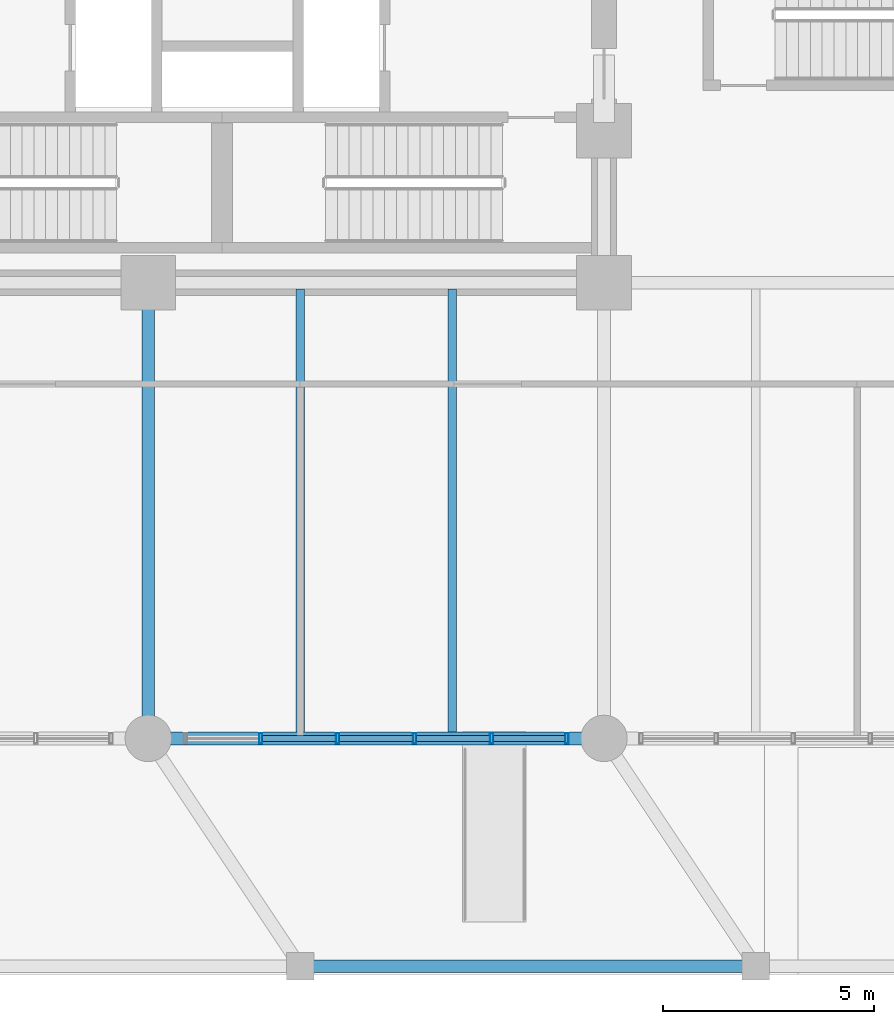
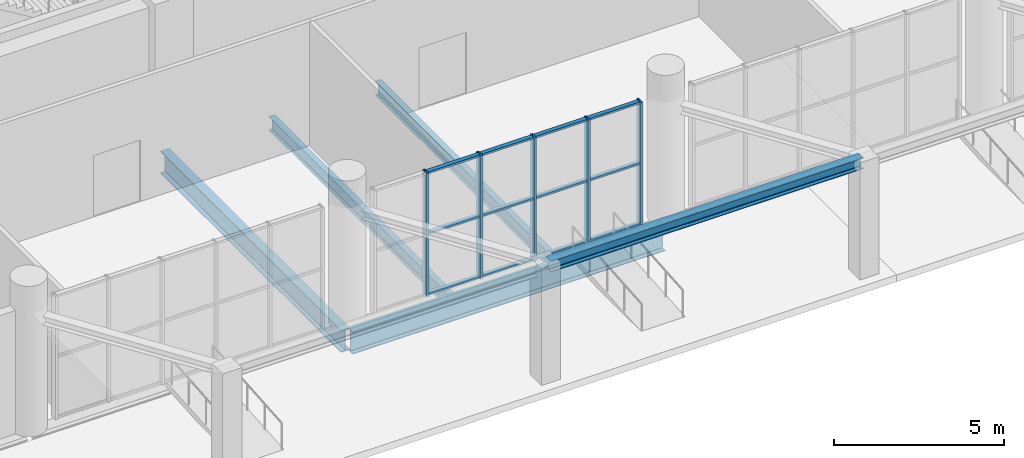
# One storey, part 4 of 22: 17 members, 5 beams, 1 element without a shape of its own.
"""IFC4 building model written with IfcOpenShell, lengths in metres."""

import ifcopenshell
import ifcopenshell.guid

model = None  # the IFC model being written
_history = None  # IfcOwnerHistory: only IFC2X3 demands one
_inside = {}  # id of a spatial element -> (the spatial element, [elements in it])
_under = {}  # id of a project, library or spatial element -> (it, [spatial elements below it])
_declared = {}  # id of a project -> (the project, [libraries it declares])
_typed = {}  # id of a type object -> (the type object, [elements of that type])
_made_of = {}  # id of a material, layer set ... -> (it, [elements and type objects made of it])


def new_model(schema):
    """Start an empty IFC model of exactly this schema.

    Asked for "IFC4X3", IfcOpenShell would pick the latest addendum, in which some entities
    have other attributes; the version numbers below select the first issue.
    IFC2X3 requires an IfcOwnerHistory on every rooted entity: one is made here for all.
    """
    global model, _history
    if schema == "IFC4X3":
        model = ifcopenshell.file(schema_version=(4, 3, 0, 0))
    else:
        model = ifcopenshell.file(schema=schema)
    _inside.clear()
    _under.clear()
    _declared.clear()
    _typed.clear()
    _made_of.clear()
    _history = None
    if model.schema == "IFC2X3":
        org = make("IfcOrganization", Name="unknown")
        user = make(
            "IfcPersonAndOrganization",
            ThePerson=make("IfcPerson", FamilyName="unknown"),
            TheOrganization=org,
        )
        app = make(
            "IfcApplication",
            ApplicationDeveloper=org,
            Version="unknown",
            ApplicationFullName="unknown",
            ApplicationIdentifier="unknown",
        )
        _history = make(
            "IfcOwnerHistory",
            OwningUser=user,
            OwningApplication=app,
            ChangeAction="ADDED",
            CreationDate=0,
        )
    return model


def make(cls, **values):
    """One entity of the class cls with the attributes given. An attribute that is None is left unset."""
    return model.create_entity(
        cls, **{name: value for name, value in values.items() if value is not None}
    )


def rooted(cls, **values):
    """An entity with a GlobalId (a new one), such as an element, a storey or a relation."""
    return make(cls, GlobalId=ifcopenshell.guid.new(), OwnerHistory=_history, **values)


def si_unit(unit_type, name, prefix=None):
    """IfcSIUnit, for example si_unit("LENGTHUNIT", "METRE", prefix="MILLI")."""
    return make("IfcSIUnit", UnitType=unit_type, Prefix=prefix, Name=name)


def assignment(units):
    """IfcUnitAssignment: the units of a project."""
    return None if units is None else make("IfcUnitAssignment", Units=units)


def point(xyz):
    """IfcCartesianPoint."""
    return None if xyz is None else make("IfcCartesianPoint", Coordinates=xyz)


def direction(xyz):
    """IfcDirection."""
    return None if xyz is None else make("IfcDirection", DirectionRatios=xyz)


def frame(location, z_axis=None, x_axis=None):
    """IfcAxis2Placement3D, a coordinate frame: its origin and axes. An axis left out is left unset."""
    return make(
        "IfcAxis2Placement3D",
        Location=point(location),
        Axis=direction(z_axis),
        RefDirection=direction(x_axis),
    )


def frame_2d(location, x_axis=None):
    """IfcAxis2Placement2D, a coordinate frame in the plane: its origin and x axis."""
    return make(
        "IfcAxis2Placement2D", Location=point(location), RefDirection=direction(x_axis)
    )


def origin():
    """The frame at (0, 0, 0) with its axes left unset."""
    return frame((0.0, 0.0, 0.0))


def origin_2d():
    """The frame at (0, 0) in the plane with its x axis left unset."""
    return frame_2d((0.0, 0.0))


def place(relative_to, where):
    """IfcLocalPlacement: puts the frame where relative to a parent placement (None: the world)."""
    return make(
        "IfcLocalPlacement", PlacementRelTo=relative_to, RelativePlacement=where
    )


def context(
    kind, dimensions, precision=None, world=None, true_north=None, identifier=None
):
    """IfcGeometricRepresentationContext, for example the 3D "Model" context."""
    return make(
        "IfcGeometricRepresentationContext",
        ContextIdentifier=identifier,
        ContextType=kind,
        CoordinateSpaceDimension=dimensions,
        Precision=precision,
        WorldCoordinateSystem=world,
        TrueNorth=true_north,
    )


def subcontext(parent, identifier, kind, view, scale=None):
    """IfcGeometricRepresentationSubContext, for example "Body" below "Model"."""
    return make(
        "IfcGeometricRepresentationSubContext",
        ContextIdentifier=identifier,
        ContextType=kind,
        ParentContext=parent,
        TargetScale=scale,
        TargetView=view,
    )


def project(units=None, contexts=None):
    """IfcProject with its units and contexts."""
    return rooted(
        "IfcProject",
        Name="project",
        RepresentationContexts=contexts,
        UnitsInContext=assignment(units),
    )


def spatial(cls, under=None, at=None, **own):
    """A site, building, storey or space (cls), placed at a placement, below another one or the project."""
    s = rooted(cls, ObjectPlacement=at, **own)
    if under is not None:
        _under.setdefault(under.id(), (under, []))[1].append(s)
    return s


def profile(cls, at=None, kind="AREA", **sizes):
    """A parametric profile (cls). Its sizes go by their IFC names, for example OverallWidth=200.0."""
    return make(cls, ProfileType=kind, Position=at, **sizes)


def hollow_rectangle(**sizes):
    """IfcRectangleHollowProfileDef."""
    return profile("IfcRectangleHollowProfileDef", **sizes)


def i_section(**sizes):
    """IfcIShapeProfileDef."""
    return profile("IfcIShapeProfileDef", **sizes)


def extrude(swept, where, along, depth):
    """IfcExtrudedAreaSolid: the profile swept, set in the frame where, extruded along a direction by depth."""
    return make(
        "IfcExtrudedAreaSolid",
        SweptArea=swept,
        Position=where,
        ExtrudedDirection=direction(along),
        Depth=depth,
    )


def shape(context_of_items, identifier, shape_type, items):
    """IfcShapeRepresentation: the items that make up one representation, for example the "Body"."""
    return make(
        "IfcShapeRepresentation",
        ContextOfItems=context_of_items,
        RepresentationIdentifier=identifier,
        RepresentationType=shape_type,
        Items=items,
    )


def material(Name=None, Category=None):
    """IfcMaterial."""
    return make("IfcMaterial", Name=Name, Category=Category)


def layer(
    of_material, thickness, ventilated=None, Name=None, Category=None, Priority=None
):
    """IfcMaterialLayer: one layer of a wall or slab, of a material (None: an air gap)."""
    return make(
        "IfcMaterialLayer",
        Material=of_material,
        LayerThickness=thickness,
        IsVentilated=ventilated,
        Name=Name,
        Category=Category,
        Priority=Priority,
    )


def layer_set(layers, Name=None):
    """IfcMaterialLayerSet."""
    return make("IfcMaterialLayerSet", MaterialLayers=layers, LayerSetName=Name)


def material_profile(
    of_material, cross_section, Name=None, Category=None, Priority=None
):
    """IfcMaterialProfile: a cross section and its material."""
    return make(
        "IfcMaterialProfile",
        Name=Name,
        Material=of_material,
        Profile=cross_section,
        Priority=Priority,
        Category=Category,
    )


def profile_set(profiles, Name=None, composite=None):
    """IfcMaterialProfileSet."""
    return make(
        "IfcMaterialProfileSet",
        Name=Name,
        MaterialProfiles=profiles,
        CompositeProfile=composite,
    )


def made_of(thing, what):
    """Note that an element or type object is made of a material, layer set ...; save() writes the relation."""
    if what is not None:
        _made_of.setdefault(what.id(), (what, []))[1].append(thing)
    return thing


def type_object(cls, material=None, **own):
    """A type object (cls), such as IfcWallType, which elements share."""
    return made_of(rooted(cls, **own), material)


def element(
    cls,
    number,
    at=None,
    inside=None,
    cuts=None,
    type_object=None,
    material=None,
    context=None,
    identifier="Body",
    shape_type=None,
    held_by="IfcProductDefinitionShape",
    body=None,
    shapes=None,
    **own,
):
    """One element of the class cls, such as IfcWall. Its Tag is "e" and its number.

    at: its placement. inside: the storey or other place that contains it. cuts: it is an
    opening in that element (IfcRelVoidsElement). A single representation is given by context,
    identifier, shape_type and body (its items); several are given by shapes. held_by: the class
    of the entity that holds the representations. save() writes the other relations.
    """
    e = rooted(cls, Tag="e%d" % number, ObjectPlacement=at, **own)
    if body is not None:
        shapes = [shape(context, identifier, shape_type, body)]
    if shapes is not None:
        e.Representation = make(held_by, Representations=shapes)
    if inside is not None:
        _inside.setdefault(inside.id(), (inside, []))[1].append(e)
    if cuts is not None:
        rooted(
            "IfcRelVoidsElement", RelatingBuildingElement=cuts, RelatedOpeningElement=e
        )
    if type_object is not None:
        _typed.setdefault(type_object.id(), (type_object, []))[1].append(e)
    return made_of(e, material)


def aggregate(whole, parts):
    """IfcRelAggregates: a whole, such as a stair, and the parts it consists of."""
    return rooted("IfcRelAggregates", RelatingObject=whole, RelatedObjects=parts)


def save(model, path):
    """Write the relations noted so far, then the file.

    IfcRelAggregates (storeys below a building ...), IfcRelContainedInSpatialStructure (elements
    in a storey), IfcRelDefinesByType, IfcRelAssociatesMaterial and IfcRelDeclares: one each for
    every whole, place, type object, material and project.
    """
    for whole, parts in _under.values():
        aggregate(whole, parts)
    for where, things in _inside.values():
        rooted(
            "IfcRelContainedInSpatialStructure",
            RelatedElements=things,
            RelatingStructure=where,
        )
    for kind, things in _typed.values():
        rooted("IfcRelDefinesByType", RelatedObjects=things, RelatingType=kind)
    for what, things in _made_of.values():
        rooted("IfcRelAssociatesMaterial", RelatedObjects=things, RelatingMaterial=what)
    for by, libraries in _declared.values():
        rooted("IfcRelDeclares", RelatingContext=by, RelatedDefinitions=libraries)
    model.write(path)


model = new_model("IFC4")

# Units and contexts
model_context = context("Model", 3, precision=1e-05, world=origin(), true_north=direction((0.0, 1.0)))
body_context = subcontext(model_context, "Body", "Model", "MODEL_VIEW")
ifc_project = project(units=[si_unit("LENGTHUNIT", "METRE"), si_unit("AREAUNIT", "SQUARE_METRE"), si_unit("VOLUMEUNIT", "CUBIC_METRE"), si_unit("PLANEANGLEUNIT", "RADIAN"), si_unit("MASSUNIT", "GRAM", prefix="KILO")], contexts=[model_context])

# Site, building, storey
site_placement = place(None, origin())
site = spatial("IfcSite", under=ifc_project, at=site_placement, CompositionType="ELEMENT")
building_placement = place(site_placement, origin())
building = spatial("IfcBuilding", under=site, at=building_placement, Name="Solnavia Interchange Tower", CompositionType="ELEMENT")
storey_placement = place(building_placement, origin())
storey = spatial("IfcBuildingStorey", under=building, at=storey_placement, Name="L00", CompositionType="ELEMENT", Elevation=0.0)

# Beams
ifc_material_1 = material(Name="Steel S460", Category="steel")
ifc_material_profile_1 = material_profile(ifc_material_1, i_section(OverallWidth=0.300048828125, OverallDepth=0.800048828125, WebThickness=0.017578125, FlangeThickness=0.032958984375, FilletRadius=0.030029296875, at=origin_2d()), Name="HEB 800")
ifc_profile_set_1 = profile_set([ifc_material_profile_1], Name="Steel S460")
beam_type_1 = type_object("IfcBeamType", Name="Beam-Girder-HEB800", PredefinedType="BEAM", material=ifc_profile_set_1)
beam_1_placement = place(storey_placement, frame((21.699951171875, 0.0, -0.75), z_axis=(1.0, 0.0, 0.0), x_axis=(0.0, 1.0, 0.0)))
element("IfcBeam", 1, at=beam_1_placement, inside=storey, type_object=beam_type_1, Name="GRD-L00-03 Podium primary girder", PredefinedType="BEAM", context=body_context, shape_type="SweptSolid", body=[
    extrude(i_section(OverallWidth=0.300048828125, OverallDepth=0.800048828125, WebThickness=0.017578125, FlangeThickness=0.032958984375, FilletRadius=0.030029296875, at=origin_2d()), origin(), (0.0, 0.0, 1.0), 10.60009765625),
])
beam_2_placement = place(storey_placement, frame((21.60009765625, 0.10009765625, -0.75), z_axis=(0.0, 1.0, 0.0), x_axis=(-1.0, 0.0, 0.0)))
element("IfcBeam", 2, at=beam_2_placement, inside=storey, type_object=beam_type_1, Name="GRD-L00-53 Podium primary girder", PredefinedType="BEAM", context=body_context, shape_type="SweptSolid", body=[
    extrude(i_section(OverallWidth=0.300048828125, OverallDepth=0.800048828125, WebThickness=0.017578125, FlangeThickness=0.032958984375, FilletRadius=0.030029296875, at=origin_2d()), origin(), (0.0, 0.0, 1.0), 10.599853515625),
])
ifc_material_2 = material(Name="Steel S355", Category="steel")
ifc_material_profile_2 = material_profile(ifc_material_2, i_section(OverallWidth=0.199951171875, OverallDepth=0.5, WebThickness=0.01025390625, FlangeThickness=0.01611328125, FilletRadius=0.02099609375, at=origin_2d()), Name="IPE 500")
ifc_profile_set_2 = profile_set([ifc_material_profile_2], Name="Steel S355")
beam_type_2 = type_object("IfcBeamType", Name="Beam-Joist-IPE500", PredefinedType="JOIST", material=ifc_profile_set_2)
for number, where, z_axis, x_axis, name in (
    (3, (25.199951171875, 0.14990234375, -0.60009765625), (0.0, 1.0, 0.0), (-1.0, 0.0, 0.0), "JST-L00-15 Podium composite floor joist"),
    (4, (28.800048828125, 0.14990234375, -0.60009765625), (0.0, 1.0, 0.0), (-1.0, 0.0, 0.0), "JST-L00-18 Podium composite floor joist"),
):
    element("IfcBeam", number, at=place(storey_placement, frame(where, z_axis=z_axis, x_axis=x_axis)), inside=storey, type_object=beam_type_2, Name=name, PredefinedType="JOIST", context=body_context, shape_type="SweptSolid", body=[
        extrude(i_section(OverallWidth=0.199951171875, OverallDepth=0.5, WebThickness=0.01025390625, FlangeThickness=0.01611328125, FilletRadius=0.02099609375, at=origin_2d()), origin(), (0.0, 0.0, 1.0), 10.5),
    ])
ifc_material_profile_3 = material_profile(ifc_material_2, i_section(OverallWidth=0.300048828125, OverallDepth=0.389892578125, WebThickness=0.010986328125, FlangeThickness=0.01904296875, FilletRadius=0.027099609375, at=origin_2d()), Name="HEA 400")
ifc_profile_set_3 = profile_set([ifc_material_profile_3], Name="Steel S355")
beam_type_3 = type_object("IfcBeamType", Name="Beam-Primary-HEA400", PredefinedType="BEAM", material=ifc_profile_set_3)
beam_3_placement = place(storey_placement, frame((25.300048828125, -5.39990234375, 4.0048828125), z_axis=(1.0, 0.0, 0.0), x_axis=(0.0, 1.0, 0.0)))
element("IfcBeam", 5, at=beam_3_placement, inside=storey, type_object=beam_type_3, Name="GRD-L00-CAN2 Promenade canopy girder", PredefinedType="BEAM", context=body_context, shape_type="SweptSolid", body=[
    extrude(i_section(OverallWidth=0.300048828125, OverallDepth=0.389892578125, WebThickness=0.010986328125, FlangeThickness=0.01904296875, FilletRadius=0.027099609375, at=origin_2d()), origin(), (0.0, 0.0, 1.0), 10.599853515625),
])

# Curtain wall, members
ifc_material_3 = material(Name="Aluminium Alloy 6063-T6", Category="aluminium")
ifc_layer = layer(ifc_material_3, 0.27001953125)
ifc_layer_set = layer_set([ifc_layer], Name="Aluminium Alloy 6063-T6")
curtain_wall_type = type_object("IfcCurtainWallType", Name="CurtainWall-Podium-CTW1", PredefinedType="NOTDEFINED", material=ifc_layer_set)
curtain_wall_placement = place(storey_placement, origin())
curtain_wall = element("IfcCurtainWall", 6, at=curtain_wall_placement, inside=storey, type_object=curtain_wall_type, Name="CTW-L00-S02 CTW-1 curtain wall", PredefinedType="NOTDEFINED")
ifc_material_profile_4 = material_profile(ifc_material_3, hollow_rectangle(XDim=0.080078125, YDim=0.25, WallThickness=0.006103515625, at=origin_2d()), Name="ALU 250x80x6")
ifc_profile_set_4 = profile_set([ifc_material_profile_4], Name="Aluminium Alloy 6063-T6")
member_type_1 = type_object("IfcMemberType", Name="CW-Mullion-CWM-1", PredefinedType="MULLION", material=ifc_profile_set_4)
member_1_placement = place(storey_placement, frame((31.52001953125, 0.0, 0.0), z_axis=(0.0, 0.0, 1.0), x_axis=(-1.0, 0.0, 0.0)))
member_1 = element("IfcMember", 7, at=member_1_placement, type_object=member_type_1, Name="CTW-1 mullion 1", PredefinedType="MULLION", context=body_context, shape_type="SweptSolid", body=[
    extrude(hollow_rectangle(XDim=0.080078125, YDim=0.25, WallThickness=0.006103515625, at=origin_2d()), origin(), (0.0, 0.0, 1.0), 4.429931640625),
])
member_2_placement = place(storey_placement, frame((29.736083984375, 0.0, 0.0), z_axis=(0.0, 0.0, 1.0), x_axis=(-1.0, 0.0, 0.0)))
member_2 = element("IfcMember", 8, at=member_2_placement, type_object=member_type_1, Name="CTW-1 mullion 2", PredefinedType="MULLION", context=body_context, shape_type="SweptSolid", body=[
    extrude(hollow_rectangle(XDim=0.080078125, YDim=0.25, WallThickness=0.006103515625, at=origin_2d()), origin(), (0.0, 0.0, 1.0), 4.429931640625),
])
member_3_placement = place(storey_placement, frame((27.912109375, 0.0, 0.0), z_axis=(0.0, 0.0, 1.0), x_axis=(-1.0, 0.0, 0.0)))
member_3 = element("IfcMember", 9, at=member_3_placement, type_object=member_type_1, Name="CTW-1 mullion 3", PredefinedType="MULLION", context=body_context, shape_type="SweptSolid", body=[
    extrude(hollow_rectangle(XDim=0.080078125, YDim=0.25, WallThickness=0.006103515625, at=origin_2d()), origin(), (0.0, 0.0, 1.0), 4.429931640625),
])
member_4_placement = place(storey_placement, frame((26.087890625, 0.0, 0.0), z_axis=(0.0, 0.0, 1.0), x_axis=(-1.0, 0.0, 0.0)))
member_4 = element("IfcMember", 10, at=member_4_placement, type_object=member_type_1, Name="CTW-1 mullion 4", PredefinedType="MULLION", context=body_context, shape_type="SweptSolid", body=[
    extrude(hollow_rectangle(XDim=0.080078125, YDim=0.25, WallThickness=0.006103515625, at=origin_2d()), origin(), (0.0, 0.0, 1.0), 4.429931640625),
])
member_5_placement = place(storey_placement, frame((24.263916015625, 0.0, 0.0), z_axis=(0.0, 0.0, 1.0), x_axis=(-1.0, 0.0, 0.0)))
member_5 = element("IfcMember", 11, at=member_5_placement, type_object=member_type_1, Name="CTW-1 mullion 5", PredefinedType="MULLION", context=body_context, shape_type="SweptSolid", body=[
    extrude(hollow_rectangle(XDim=0.080078125, YDim=0.25, WallThickness=0.006103515625, at=origin_2d()), origin(), (0.0, 0.0, 1.0), 4.429931640625),
])
ifc_material_profile_5 = material_profile(ifc_material_3, hollow_rectangle(XDim=0.070068359375, YDim=0.14990234375, WallThickness=0.00439453125, at=origin_2d()), Name="ALU 150x70x4.5")
ifc_profile_set_5 = profile_set([ifc_material_profile_5], Name="Aluminium Alloy 6063-T6")
member_type_2 = type_object("IfcMemberType", Name="CW-Transom-CWT-1", PredefinedType="USERDEFINED", material=ifc_profile_set_5)
member_6_placement = place(storey_placement, frame((31.47998046875, 0.0, 0.034912109375), z_axis=(-1.0, 0.0, 0.0), x_axis=(0.0, 0.0, 1.0)))
member_6 = element("IfcMember", 12, at=member_6_placement, type_object=member_type_2, Name="CTW-1 transom 1.1", ObjectType="TRANSOM", PredefinedType="USERDEFINED", context=body_context, shape_type="SweptSolid", body=[
    extrude(hollow_rectangle(XDim=0.070068359375, YDim=0.14990234375, WallThickness=0.00439453125, at=origin_2d()), origin(), (0.0, 0.0, 1.0), 1.7041015625),
])
member_7_placement = place(storey_placement, frame((31.47998046875, 0.0, 2.215087890625), z_axis=(-1.0, 0.0, 0.0), x_axis=(0.0, 0.0, 1.0)))
member_7 = element("IfcMember", 13, at=member_7_placement, type_object=member_type_2, Name="CTW-1 transom 1.2", ObjectType="TRANSOM", PredefinedType="USERDEFINED", context=body_context, shape_type="SweptSolid", body=[
    extrude(hollow_rectangle(XDim=0.070068359375, YDim=0.14990234375, WallThickness=0.00439453125, at=origin_2d()), origin(), (0.0, 0.0, 1.0), 1.7041015625),
])
member_8_placement = place(storey_placement, frame((31.47998046875, 0.0, 4.39501953125), z_axis=(-1.0, 0.0, 0.0), x_axis=(0.0, 0.0, 1.0)))
member_8 = element("IfcMember", 14, at=member_8_placement, type_object=member_type_2, Name="CTW-1 transom 1.3", ObjectType="TRANSOM", PredefinedType="USERDEFINED", context=body_context, shape_type="SweptSolid", body=[
    extrude(hollow_rectangle(XDim=0.070068359375, YDim=0.14990234375, WallThickness=0.00439453125, at=origin_2d()), origin(), (0.0, 0.0, 1.0), 1.7041015625),
])
member_9_placement = place(storey_placement, frame((29.696044921875, 0.0, 0.034912109375), z_axis=(-1.0, 0.0, 0.0), x_axis=(0.0, 0.0, 1.0)))
member_9 = element("IfcMember", 15, at=member_9_placement, type_object=member_type_2, Name="CTW-1 transom 2.1", ObjectType="TRANSOM", PredefinedType="USERDEFINED", context=body_context, shape_type="SweptSolid", body=[
    extrude(hollow_rectangle(XDim=0.070068359375, YDim=0.14990234375, WallThickness=0.00439453125, at=origin_2d()), origin(), (0.0, 0.0, 1.0), 1.744140625),
])
member_10_placement = place(storey_placement, frame((29.696044921875, 0.0, 2.215087890625), z_axis=(-1.0, 0.0, 0.0), x_axis=(0.0, 0.0, 1.0)))
member_10 = element("IfcMember", 16, at=member_10_placement, type_object=member_type_2, Name="CTW-1 transom 2.2", ObjectType="TRANSOM", PredefinedType="USERDEFINED", context=body_context, shape_type="SweptSolid", body=[
    extrude(hollow_rectangle(XDim=0.070068359375, YDim=0.14990234375, WallThickness=0.00439453125, at=origin_2d()), origin(), (0.0, 0.0, 1.0), 1.744140625),
])
member_11_placement = place(storey_placement, frame((29.696044921875, 0.0, 4.39501953125), z_axis=(-1.0, 0.0, 0.0), x_axis=(0.0, 0.0, 1.0)))
member_11 = element("IfcMember", 17, at=member_11_placement, type_object=member_type_2, Name="CTW-1 transom 2.3", ObjectType="TRANSOM", PredefinedType="USERDEFINED", context=body_context, shape_type="SweptSolid", body=[
    extrude(hollow_rectangle(XDim=0.070068359375, YDim=0.14990234375, WallThickness=0.00439453125, at=origin_2d()), origin(), (0.0, 0.0, 1.0), 1.744140625),
])
member_12_placement = place(storey_placement, frame((27.8720703125, 0.0, 0.034912109375), z_axis=(-1.0, 0.0, 0.0), x_axis=(0.0, 0.0, 1.0)))
member_12 = element("IfcMember", 18, at=member_12_placement, type_object=member_type_2, Name="CTW-1 transom 3.1", ObjectType="TRANSOM", PredefinedType="USERDEFINED", context=body_context, shape_type="SweptSolid", body=[
    extrude(hollow_rectangle(XDim=0.070068359375, YDim=0.14990234375, WallThickness=0.00439453125, at=origin_2d()), origin(), (0.0, 0.0, 1.0), 1.744140625),
])
member_13_placement = place(storey_placement, frame((27.8720703125, 0.0, 2.215087890625), z_axis=(-1.0, 0.0, 0.0), x_axis=(0.0, 0.0, 1.0)))
member_13 = element("IfcMember", 19, at=member_13_placement, type_object=member_type_2, Name="CTW-1 transom 3.2", ObjectType="TRANSOM", PredefinedType="USERDEFINED", context=body_context, shape_type="SweptSolid", body=[
    extrude(hollow_rectangle(XDim=0.070068359375, YDim=0.14990234375, WallThickness=0.00439453125, at=origin_2d()), origin(), (0.0, 0.0, 1.0), 1.744140625),
])
member_14_placement = place(storey_placement, frame((27.8720703125, 0.0, 4.39501953125), z_axis=(-1.0, 0.0, 0.0), x_axis=(0.0, 0.0, 1.0)))
member_14 = element("IfcMember", 20, at=member_14_placement, type_object=member_type_2, Name="CTW-1 transom 3.3", ObjectType="TRANSOM", PredefinedType="USERDEFINED", context=body_context, shape_type="SweptSolid", body=[
    extrude(hollow_rectangle(XDim=0.070068359375, YDim=0.14990234375, WallThickness=0.00439453125, at=origin_2d()), origin(), (0.0, 0.0, 1.0), 1.744140625),
])
member_15_placement = place(storey_placement, frame((26.048095703125, 0.0, 0.034912109375), z_axis=(-1.0, 0.0, 0.0), x_axis=(0.0, 0.0, 1.0)))
member_15 = element("IfcMember", 21, at=member_15_placement, type_object=member_type_2, Name="CTW-1 transom 4.1", ObjectType="TRANSOM", PredefinedType="USERDEFINED", context=body_context, shape_type="SweptSolid", body=[
    extrude(hollow_rectangle(XDim=0.070068359375, YDim=0.14990234375, WallThickness=0.00439453125, at=origin_2d()), origin(), (0.0, 0.0, 1.0), 1.744140625),
])
member_16_placement = place(storey_placement, frame((26.048095703125, 0.0, 2.215087890625), z_axis=(-1.0, 0.0, 0.0), x_axis=(0.0, 0.0, 1.0)))
member_16 = element("IfcMember", 22, at=member_16_placement, type_object=member_type_2, Name="CTW-1 transom 4.2", ObjectType="TRANSOM", PredefinedType="USERDEFINED", context=body_context, shape_type="SweptSolid", body=[
    extrude(hollow_rectangle(XDim=0.070068359375, YDim=0.14990234375, WallThickness=0.00439453125, at=origin_2d()), origin(), (0.0, 0.0, 1.0), 1.744140625),
])
member_17_placement = place(storey_placement, frame((26.048095703125, 0.0, 4.39501953125), z_axis=(-1.0, 0.0, 0.0), x_axis=(0.0, 0.0, 1.0)))
member_17 = element("IfcMember", 23, at=member_17_placement, type_object=member_type_2, Name="CTW-1 transom 4.3", ObjectType="TRANSOM", PredefinedType="USERDEFINED", context=body_context, shape_type="SweptSolid", body=[
    extrude(hollow_rectangle(XDim=0.070068359375, YDim=0.14990234375, WallThickness=0.00439453125, at=origin_2d()), origin(), (0.0, 0.0, 1.0), 1.744140625),
])
aggregate(curtain_wall, [member_1, member_2, member_3, member_4, member_5, member_6, member_7, member_8, member_9, member_10, member_11, member_12, member_13, member_14, member_15, member_16, member_17])

save(model, "model.ifc")
